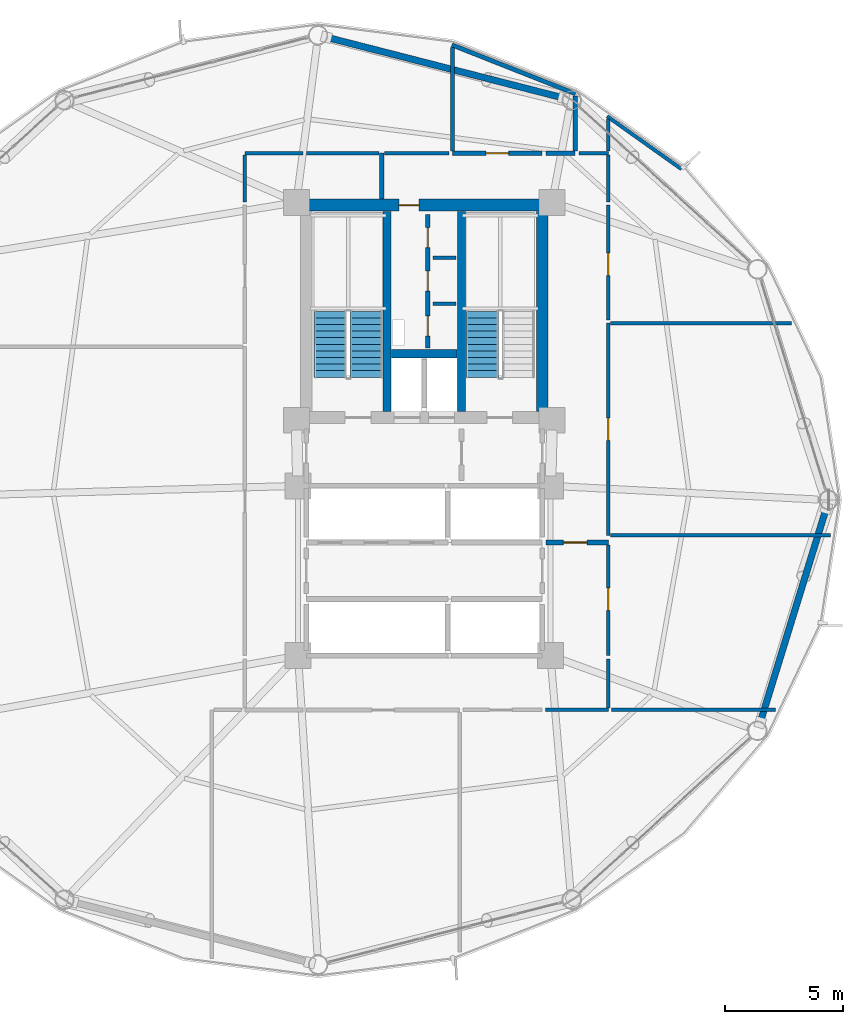
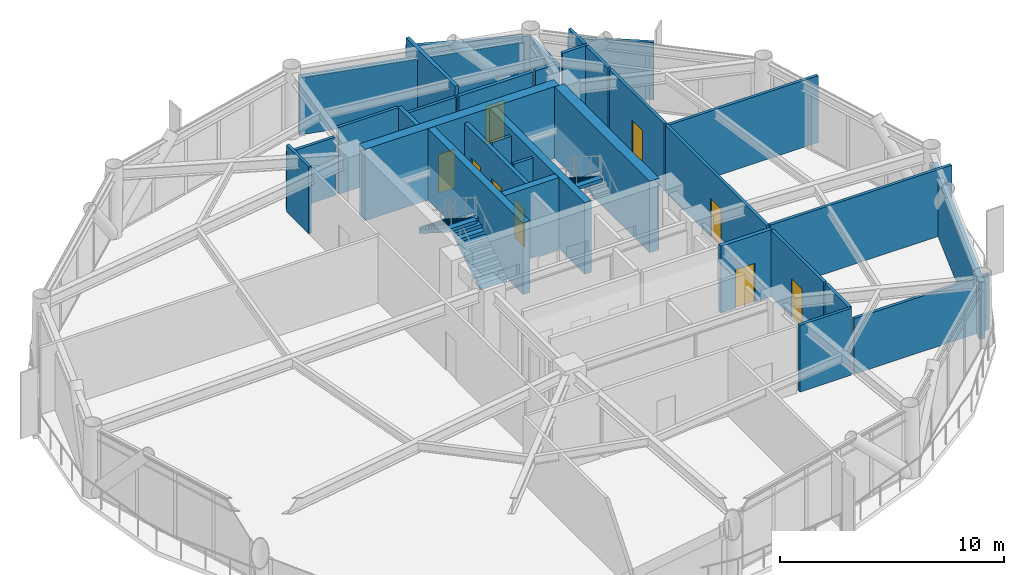
# One storey, part 21 of 25: 33 walls, 9 doors, 3 stair flights, 9 openings, 2 elements without a shape of their own.
"""IFC4 building model written with IfcOpenShell, lengths in metres."""

from ifc_helpers import new_model, si_unit, direction, frame, frame_2d, origin, place, context, subcontext, project, spatial, polyline, rectangle, outline, extrude, material, layer, layer_set, type_object, element, fill, aggregate, save


model = new_model("IFC4")

# Units and contexts
model_context = context("Model", 3, precision=1e-05, world=origin(), true_north=direction((0.0, 1.0)))
body_context = subcontext(model_context, "Body", "Model", "MODEL_VIEW")
ifc_project = project(units=[si_unit("LENGTHUNIT", "METRE"), si_unit("AREAUNIT", "SQUARE_METRE"), si_unit("VOLUMEUNIT", "CUBIC_METRE"), si_unit("PLANEANGLEUNIT", "RADIAN"), si_unit("MASSUNIT", "GRAM", prefix="KILO")], contexts=[model_context])

# Site, building, storey
site_placement = place(None, origin())
site = spatial("IfcSite", under=ifc_project, at=site_placement, CompositionType="ELEMENT")
building_placement = place(site_placement, origin())
building = spatial("IfcBuilding", under=site, at=building_placement, Name="Varnakorn Sky Granary", CompositionType="ELEMENT")
storey_placement = place(building_placement, frame((0.0, 0.0, 99.300048828125)))
storey = spatial("IfcBuildingStorey", under=building, at=storey_placement, Name="L24", CompositionType="ELEMENT", Elevation=99.300048828125)

# Walls
ifc_material_1 = material(Name="Concrete C50/60", Category="concrete")
ifc_layer_1 = layer(ifc_material_1, 0.35009765625, Name="Concrete C50/60")
ifc_layer_set_1 = layer_set([ifc_layer_1], Name="Concrete C50/60")
wall_type_1 = type_object("IfcWallType", Name="WT-CW-INT-350", PredefinedType="SHEAR", material=ifc_layer_set_1)
for number, where, z_axis, x_axis, name in (
    (1, (1.419921875, 3.760009765625, 0.0), (0.0, 0.0, 1.0), (0.0, 1.0, 0.0), "Stair ST-1 Core Wall L24"),
    (2, (4.580078125, 3.760009765625, 0.0), (0.0, 0.0, 1.0), (0.0, 1.0, 0.0), "Stair ST-2 Core Wall L24"),
):
    element("IfcWall", number, at=place(storey_placement, frame(where, z_axis=z_axis, x_axis=x_axis)), inside=storey, type_object=wall_type_1, Name=name, PredefinedType="SHEAR", context=body_context, shape_type="SweptSolid", body=[
        extrude(rectangle(XDim=8.47998046875, YDim=0.35009765625, at=frame_2d((4.239990234375, 0.0))), origin(), (0.0, 0.0, 1.0), 3.891845703125),
    ])
wall_1_placement = place(storey_placement, frame((1.610107421875, 6.199951171875, 0.0), z_axis=(0.0, 0.0, 1.0), x_axis=(1.0, 0.0, 0.0)))
element("IfcWall", 3, at=wall_1_placement, inside=storey, type_object=wall_type_1, Name="Core Lift Shaft Cross Wall L24", PredefinedType="SHEAR", context=body_context, shape_type="SweptSolid", body=[
    extrude(rectangle(XDim=2.77978515625, YDim=0.35009765625, at=frame_2d((1.389892578125, 0.0))), origin(), (0.0, 0.0, 1.0), 3.891845703125),
])

# Wall, opening, door
ifc_material_2 = material(Name="Concrete C60/75", Category="concrete")
ifc_layer_2 = layer(ifc_material_2, 0.5, Name="Concrete C60/75")
ifc_layer_set_2 = layer_set([ifc_layer_2], Name="Concrete C60/75")
wall_type_2 = type_object("IfcWallType", Name="WT-CW-SHEAR-500", PredefinedType="SHEAR", material=ifc_layer_set_2)
wall_2_placement = place(storey_placement, frame((-2.0, 12.5, 0.0), z_axis=(0.0, 0.0, 1.0), x_axis=(1.0, 0.0, 0.0)))
wall_2 = element("IfcWall", 4, at=wall_2_placement, inside=storey, type_object=wall_type_2, Name="Core North Shear Wall L24", PredefinedType="SHEAR", context=body_context, shape_type="SweptSolid", body=[
    extrude(rectangle(XDim=10.0, YDim=0.5, at=frame_2d((5.0, 0.0))), origin(), (0.0, 0.0, 1.0), 3.891845703125),
])
opening_1_placement = place(wall_2_placement, frame((3.919921875, 0.0, 0.0)))
opening_1 = element("IfcOpeningElement", 5, at=opening_1_placement, cuts=wall_2, Name="Opening FD-60N", PredefinedType="OPENING", context=body_context, shape_type="SweptSolid", body=[
    extrude(rectangle(XDim=0.85009765625, YDim=2.10009765625, at=frame_2d((0.425048828125, 1.050048828125))), frame((0.0, 0.260009765625, 0.0), z_axis=(0.0, -1.0, 0.0), x_axis=(1.0, 0.0, 0.0)), (0.0, 0.0, 1.0), 0.52001953125),
])
ifc_material_3 = material(Name="Acoustic Timber Fire Leaf", Category="wood")
door_type_1 = type_object("IfcDoorType", Name="DR-FD60-850", OperationType="NOTDEFINED", PredefinedType="DOOR", material=ifc_material_3)
door_1_placement = place(opening_1_placement, origin())
door_1 = element("IfcDoor", 6, at=door_1_placement, inside=storey, type_object=door_type_1, Name="Core North Service Door L24", OperationType="SINGLE_SWING_RIGHT", OverallHeight=2.10009765625, OverallWidth=0.85009765625, PredefinedType="DOOR", context=body_context, shape_type="SweptSolid", body=[
    extrude(rectangle(XDim=0.85009765625, YDim=2.10009765625, at=frame_2d((0.425048828125, 1.050048828125))), frame((0.0, 0.02490234375, 0.0), z_axis=(0.0, -1.0, 0.0), x_axis=(1.0, 0.0, 0.0)), (0.0, 0.0, 1.0), 0.050048828125),
])
fill(opening_1, door_1)

# Walls
wall_3_placement = place(storey_placement, frame((8.0, 3.760009765625, 0.0), z_axis=(0.0, 0.0, 1.0), x_axis=(0.0, 1.0, 0.0)))
element("IfcWall", 7, at=wall_3_placement, inside=storey, type_object=wall_type_2, Name="Core East Shear Wall L24", PredefinedType="SHEAR", context=body_context, shape_type="SweptSolid", body=[
    extrude(rectangle(XDim=8.47998046875, YDim=0.5, at=frame_2d((4.239990234375, 0.0))), origin(), (0.0, 0.0, 1.0), 3.891845703125),
])
ifc_material_4 = material(Name="Precast concrete C40/50", Category="concrete")
ifc_layer_3 = layer(ifc_material_4, 0.280029296875, Name="Precast concrete C40/50")
ifc_layer_set_3 = layer_set([ifc_layer_3], Name="Precast concrete C40/50")
wall_type_3 = type_object("IfcWallType", Name="WT-EW-CRN-280", PredefinedType="SOLIDWALL", material=ifc_layer_set_3)
wall_4_placement = place(storey_placement, frame((-1.14990234375, 19.6171875, 0.0), z_axis=(0.0, 0.0, 1.0), x_axis=(0.96868968268, -0.248274643631, 0.0)))
element("IfcWall", 8, at=wall_4_placement, inside=storey, type_object=wall_type_3, Name="Agritech Insulated Precast Facade Wall L24-P03", PredefinedType="SOLIDWALL", context=body_context, shape_type="SweptSolid", body=[
    extrude(rectangle(XDim=10.382080078125, YDim=0.280029296875, at=frame_2d((5.19091796875, 0.0))), origin(), (0.0, 0.0, 1.0), 3.10986328125),
])
wall_5_placement = place(storey_placement, frame((20.04345703125, -0.345458984375, 0.0), z_axis=(0.0, 0.0, 1.0), x_axis=(-0.294660809145, -0.955601908513, 0.0)))
element("IfcWall", 9, at=wall_5_placement, inside=storey, type_object=wall_type_3, Name="Agritech Insulated Precast Facade Wall L24-P12", PredefinedType="SOLIDWALL", context=body_context, shape_type="SweptSolid", body=[
    extrude(rectangle(XDim=9.517578125, YDim=0.280029296875, at=frame_2d((4.7587890625, 0.0))), origin(), (0.0, 0.0, 1.0), 3.10986328125),
])

# Wall, openings, doors
ifc_material_5 = material(Name="Autoclaved Aerated Concrete Blockwork", Category="masonry")
ifc_layer_4 = layer(ifc_material_5, 0.199951171875, Name="Autoclaved Aerated Concrete Blockwork")
ifc_layer_set_4 = layer_set([ifc_layer_4], Name="Autoclaved Aerated Concrete Blockwork")
wall_type_4 = type_object("IfcWallType", Name="WT-FIRE-200", PredefinedType="MOVABLE", material=ifc_layer_set_4)
wall_6_placement = place(storey_placement, frame((3.14990234375, 6.449951171875, 0.0), z_axis=(0.0, 0.0, 1.0), x_axis=(0.0, 1.0, 0.0)))
wall_6 = element("IfcWall", 10, at=wall_6_placement, inside=storey, type_object=wall_type_4, Name="Interior Partition Wall L24-015", PredefinedType="MOVABLE", context=body_context, shape_type="SweptSolid", body=[
    extrude(rectangle(XDim=5.650146484375, YDim=0.199951171875, at=frame_2d((2.8251953125, 0.0))), origin(), (0.0, 0.0, 1.0), 3.639892578125),
])
opening_2_placement = place(wall_6_placement, frame((0.5, 0.0, 0.0)))
opening_2 = element("IfcOpeningElement", 11, at=opening_2_placement, cuts=wall_6, Name="Opening FD-60N", PredefinedType="OPENING", context=body_context, shape_type="SweptSolid", body=[
    extrude(rectangle(XDim=0.85009765625, YDim=2.10009765625, at=frame_2d((0.425048828125, 1.050048828125))), frame((0.0, 0.10986328125, 0.0), z_axis=(0.0, -1.0, 0.0), x_axis=(1.0, 0.0, 0.0)), (0.0, 0.0, 1.0), 0.219970703125),
])
opening_3_placement = place(wall_6_placement, frame((2.39990234375, 0.0, 0.0)))
opening_3 = element("IfcOpeningElement", 12, at=opening_3_placement, cuts=wall_6, Name="Opening FD-60N", PredefinedType="OPENING", context=body_context, shape_type="SweptSolid", body=[
    extrude(rectangle(XDim=0.85009765625, YDim=2.10009765625, at=frame_2d((0.425048828125, 1.050048828125))), frame((0.0, 0.10986328125, 0.0), z_axis=(0.0, -1.0, 0.0), x_axis=(1.0, 0.0, 0.0)), (0.0, 0.0, 1.0), 0.219970703125),
])
opening_4_placement = place(wall_6_placement, frame((4.25, 0.0, 0.0)))
opening_4 = element("IfcOpeningElement", 13, at=opening_4_placement, cuts=wall_6, Name="Opening FD-60N", PredefinedType="OPENING", context=body_context, shape_type="SweptSolid", body=[
    extrude(rectangle(XDim=0.85009765625, YDim=2.10009765625, at=frame_2d((0.425048828125, 1.050048828125))), frame((0.0, 0.10986328125, 0.0), z_axis=(0.0, -1.0, 0.0), x_axis=(1.0, 0.0, 0.0)), (0.0, 0.0, 1.0), 0.219970703125),
])
door_2_placement = place(opening_2_placement, origin())
door_2 = element("IfcDoor", 14, at=door_2_placement, inside=storey, type_object=door_type_1, Name="Interior Door L24-015-1", OperationType="SINGLE_SWING_LEFT", OverallHeight=2.10009765625, OverallWidth=0.85009765625, PredefinedType="DOOR", context=body_context, shape_type="SweptSolid", body=[
    extrude(rectangle(XDim=0.85009765625, YDim=2.10009765625, at=frame_2d((0.425048828125, 1.050048828125))), frame((0.0, 0.02490234375, 0.0), z_axis=(0.0, -1.0, 0.0), x_axis=(1.0, 0.0, 0.0)), (0.0, 0.0, 1.0), 0.050048828125),
])
fill(opening_2, door_2)
door_3_placement = place(opening_3_placement, origin())
door_3 = element("IfcDoor", 15, at=door_3_placement, inside=storey, type_object=door_type_1, Name="Interior Door L24-015-2", OperationType="SINGLE_SWING_RIGHT", OverallHeight=2.10009765625, OverallWidth=0.85009765625, PredefinedType="DOOR", context=body_context, shape_type="SweptSolid", body=[
    extrude(rectangle(XDim=0.85009765625, YDim=2.10009765625, at=frame_2d((0.425048828125, 1.050048828125))), frame((0.0, 0.02490234375, 0.0), z_axis=(0.0, -1.0, 0.0), x_axis=(1.0, 0.0, 0.0)), (0.0, 0.0, 1.0), 0.050048828125),
])
fill(opening_3, door_3)
door_4_placement = place(opening_4_placement, origin())
door_4 = element("IfcDoor", 16, at=door_4_placement, inside=storey, type_object=door_type_1, Name="Interior Door L24-015-3", OperationType="SINGLE_SWING_LEFT", OverallHeight=2.10009765625, OverallWidth=0.85009765625, PredefinedType="DOOR", context=body_context, shape_type="SweptSolid", body=[
    extrude(rectangle(XDim=0.85009765625, YDim=2.10009765625, at=frame_2d((0.425048828125, 1.050048828125))), frame((0.0, 0.02490234375, 0.0), z_axis=(0.0, -1.0, 0.0), x_axis=(1.0, 0.0, 0.0)), (0.0, 0.0, 1.0), 0.050048828125),
])
fill(opening_4, door_4)

# Wall, opening, door
wall_7_placement = place(storey_placement, frame((8.159912109375, -1.800048828125, 0.0), z_axis=(0.0, 0.0, 1.0), x_axis=(1.0, 0.0, 0.0)))
wall_7 = element("IfcWall", 17, at=wall_7_placement, inside=storey, type_object=wall_type_4, Name="Interior Partition Wall L24-021", PredefinedType="MOVABLE", context=body_context, shape_type="SweptSolid", body=[
    extrude(rectangle(XDim=2.64013671875, YDim=0.199951171875, at=frame_2d((1.320068359375, 0.0))), origin(), (0.0, 0.0, 1.0), 3.639892578125),
])
opening_5_placement = place(wall_7_placement, frame((0.739990234375, 0.0, 0.0)))
opening_5 = element("IfcOpeningElement", 18, at=opening_5_placement, cuts=wall_7, Name="Opening FD-60", PredefinedType="OPENING", context=body_context, shape_type="SweptSolid", body=[
    extrude(rectangle(XDim=1.0, YDim=2.10009765625, at=frame_2d((0.5, 1.050048828125))), frame((0.0, 0.10986328125, 0.0), z_axis=(0.0, -1.0, 0.0), x_axis=(1.0, 0.0, 0.0)), (0.0, 0.0, 1.0), 0.219970703125),
])
door_type_2 = type_object("IfcDoorType", Name="DR-FD60-1000", OperationType="NOTDEFINED", PredefinedType="DOOR", material=ifc_material_3)
door_5_placement = place(opening_5_placement, origin())
door_5 = element("IfcDoor", 19, at=door_5_placement, inside=storey, type_object=door_type_2, Name="Interior Door L24-021-1", OperationType="SINGLE_SWING_LEFT", OverallHeight=2.10009765625, OverallWidth=1.0, PredefinedType="DOOR", context=body_context, shape_type="SweptSolid", body=[
    extrude(rectangle(XDim=1.0, YDim=2.10009765625, at=frame_2d((0.5, 1.050048828125))), frame((0.0, 0.02490234375, 0.0), z_axis=(0.0, -1.0, 0.0), x_axis=(1.0, 0.0, 0.0)), (0.0, 0.0, 1.0), 0.050048828125),
])
fill(opening_5, door_5)

# Wall
wall_8_placement = place(storey_placement, frame((1.199951171875, 14.699951171875, 0.0), z_axis=(0.0, 0.0, 1.0), x_axis=(0.0, -1.0, 0.0)))
element("IfcWall", 20, at=wall_8_placement, inside=storey, type_object=wall_type_4, Name="Interior Partition Wall L24-033", PredefinedType="MOVABLE", context=body_context, shape_type="SweptSolid", body=[
    extrude(rectangle(XDim=1.93994140625, YDim=0.199951171875, at=frame_2d((0.969970703125, 0.0))), origin(), (0.0, 0.0, 1.0), 3.639892578125),
])

# Wall, opening, door
ifc_material_6 = material(Name="Gypsum Plasterboard on Steel Stud", Category="steel")
ifc_layer_5 = layer(ifc_material_6, 0.14990234375, Name="Gypsum Plasterboard on Steel Stud")
ifc_layer_set_5 = layer_set([ifc_layer_5], Name="Gypsum Plasterboard on Steel Stud")
wall_type_5 = type_object("IfcWallType", Name="WT-PART-150", PredefinedType="PARTITIONING", material=ifc_layer_set_5)
wall_9_placement = place(storey_placement, frame((10.800048828125, -6.60009765625, 0.0), z_axis=(0.0, 0.0, 1.0), x_axis=(0.0, 1.0, 0.0)))
wall_9 = element("IfcWall", 21, at=wall_9_placement, inside=storey, type_object=wall_type_5, Name="Interior Partition Wall L24-027", PredefinedType="PARTITIONING", context=body_context, shape_type="SweptSolid", body=[
    extrude(rectangle(XDim=4.690185546875, YDim=0.14990234375, at=frame_2d((2.34521484375, 0.0))), origin(), (0.0, 0.0, 1.0), 3.639892578125),
])
opening_6_placement = place(wall_9_placement, frame((1.925048828125, 0.0, 0.0)))
opening_6 = element("IfcOpeningElement", 22, at=opening_6_placement, cuts=wall_9, Name="Opening ID-95", PredefinedType="OPENING", context=body_context, shape_type="SweptSolid", body=[
    extrude(rectangle(XDim=0.949951171875, YDim=2.10009765625, at=frame_2d((0.47509765625, 1.050048828125))), frame((0.0, 0.0849609375, 0.0), z_axis=(0.0, -1.0, 0.0), x_axis=(1.0, 0.0, 0.0)), (0.0, 0.0, 1.0), 0.169921875),
])
ifc_material_7 = material(Name="Solid-Core Teak Veneer Leaf", Category="timber")
door_type_3 = type_object("IfcDoorType", Name="DR-INT-950", OperationType="NOTDEFINED", PredefinedType="DOOR", material=ifc_material_7)
door_6_placement = place(opening_6_placement, origin())
door_6 = element("IfcDoor", 23, at=door_6_placement, inside=storey, type_object=door_type_3, Name="Interior Door L24-027-1", OperationType="SINGLE_SWING_LEFT", OverallHeight=2.10009765625, OverallWidth=0.949951171875, PredefinedType="DOOR", context=body_context, shape_type="SweptSolid", body=[
    extrude(rectangle(XDim=0.949951171875, YDim=2.10009765625, at=frame_2d((0.47509765625, 1.050048828125))), frame((0.0, 0.02490234375, 0.0), z_axis=(0.0, -1.0, 0.0), x_axis=(1.0, 0.0, 0.0)), (0.0, 0.0, 1.0), 0.050048828125),
])
fill(opening_6, door_6)

wall_10_placement = place(storey_placement, frame((10.800048828125, -1.5, 0.0), z_axis=(0.0, 0.0, 1.0), x_axis=(0.0, 1.0, 0.0)))
wall_10 = element("IfcWall", 24, at=wall_10_placement, inside=storey, type_object=wall_type_5, Name="Interior Partition Wall L24-028", PredefinedType="PARTITIONING", context=body_context, shape_type="SweptSolid", body=[
    extrude(rectangle(XDim=9.0, YDim=0.14990234375, at=frame_2d((4.5, 0.0))), origin(), (0.0, 0.0, 1.0), 3.639892578125),
])
opening_7_placement = place(wall_10_placement, frame((4.02490234375, 0.0, 0.0)))
opening_7 = element("IfcOpeningElement", 25, at=opening_7_placement, cuts=wall_10, Name="Opening ID-95", PredefinedType="OPENING", context=body_context, shape_type="SweptSolid", body=[
    extrude(rectangle(XDim=0.949951171875, YDim=2.10009765625, at=frame_2d((0.47509765625, 1.050048828125))), frame((0.0, 0.0849609375, 0.0), z_axis=(0.0, -1.0, 0.0), x_axis=(1.0, 0.0, 0.0)), (0.0, 0.0, 1.0), 0.169921875),
])
door_7_placement = place(opening_7_placement, origin())
door_7 = element("IfcDoor", 26, at=door_7_placement, inside=storey, type_object=door_type_3, Name="Interior Door L24-028-1", OperationType="SINGLE_SWING_RIGHT", OverallHeight=2.10009765625, OverallWidth=0.949951171875, PredefinedType="DOOR", context=body_context, shape_type="SweptSolid", body=[
    extrude(rectangle(XDim=0.949951171875, YDim=2.10009765625, at=frame_2d((0.47509765625, 1.050048828125))), frame((0.0, 0.02490234375, 0.0), z_axis=(0.0, -1.0, 0.0), x_axis=(1.0, 0.0, 0.0)), (0.0, 0.0, 1.0), 0.050048828125),
])
fill(opening_7, door_7)

wall_11_placement = place(storey_placement, frame((10.800048828125, 7.635009765625, 0.0), z_axis=(0.0, 0.0, 1.0), x_axis=(0.0, 1.0, 0.0)))
wall_11 = element("IfcWall", 27, at=wall_11_placement, inside=storey, type_object=wall_type_5, Name="Interior Partition Wall L24-029", PredefinedType="PARTITIONING", context=body_context, shape_type="SweptSolid", body=[
    extrude(rectangle(XDim=4.864990234375, YDim=0.14990234375, at=frame_2d((2.4326171875, 0.0))), origin(), (0.0, 0.0, 1.0), 3.639892578125),
])
opening_8_placement = place(wall_11_placement, frame((1.889892578125, 0.0, 0.0)))
opening_8 = element("IfcOpeningElement", 28, at=opening_8_placement, cuts=wall_11, Name="Opening ID-95", PredefinedType="OPENING", context=body_context, shape_type="SweptSolid", body=[
    extrude(rectangle(XDim=0.949951171875, YDim=2.10009765625, at=frame_2d((0.47509765625, 1.050048828125))), frame((0.0, 0.0849609375, 0.0), z_axis=(0.0, -1.0, 0.0), x_axis=(1.0, 0.0, 0.0)), (0.0, 0.0, 1.0), 0.169921875),
])
door_8_placement = place(opening_8_placement, origin())
door_8 = element("IfcDoor", 29, at=door_8_placement, inside=storey, type_object=door_type_3, Name="Interior Door L24-029-1", OperationType="SINGLE_SWING_LEFT", OverallHeight=2.10009765625, OverallWidth=0.949951171875, PredefinedType="DOOR", context=body_context, shape_type="SweptSolid", body=[
    extrude(rectangle(XDim=0.949951171875, YDim=2.10009765625, at=frame_2d((0.47509765625, 1.050048828125))), frame((0.0, 0.02490234375, 0.0), z_axis=(0.0, -1.0, 0.0), x_axis=(1.0, 0.0, 0.0)), (0.0, 0.0, 1.0), 0.050048828125),
])
fill(opening_8, door_8)

# Walls
for number, where, z_axis, x_axis, name in (
    (30, (3.3701171875, 8.320068359375, 0.0), (0.0, 0.0, 1.0), (1.0, 0.0, 0.0), "Interior Partition Wall L24-030"),
    (31, (3.3701171875, 10.260009765625, 0.0), (0.0, 0.0, 1.0), (1.0, 0.0, 0.0), "Interior Partition Wall L24-031"),
):
    element("IfcWall", number, at=place(storey_placement, frame(where, z_axis=z_axis, x_axis=x_axis)), inside=storey, type_object=wall_type_5, Name=name, PredefinedType="PARTITIONING", context=body_context, shape_type="SweptSolid", body=[
        extrude(rectangle(XDim=0.97998046875, YDim=0.14990234375, at=frame_2d((0.489990234375, 0.0))), origin(), (0.0, 0.0, 1.0), 3.639892578125),
    ])
wall_12_placement = place(storey_placement, frame((8.135009765625, -8.89990234375, 0.0), z_axis=(0.0, 0.0, 1.0), x_axis=(1.0, 0.0, 0.0)))
element("IfcWall", 32, at=wall_12_placement, inside=storey, type_object=wall_type_5, Name="Interior Partition Wall L24-039", PredefinedType="PARTITIONING", context=body_context, shape_type="SweptSolid", body=[
    extrude(rectangle(XDim=2.6650390625, YDim=0.14990234375, at=frame_2d((1.33251953125, 0.0))), origin(), (0.0, 0.0, 1.0), 3.639892578125),
])
wall_13_placement = place(storey_placement, frame((10.93505859375, -8.89990234375, 0.0), z_axis=(0.0, 0.0, 1.0), x_axis=(1.0, 0.0, 0.0)))
element("IfcWall", 33, at=wall_13_placement, inside=storey, type_object=wall_type_5, Name="Interior Partition Wall L24-040", PredefinedType="PARTITIONING", context=body_context, shape_type="SweptSolid", body=[
    extrude(rectangle(XDim=6.9609375, YDim=0.14990234375, at=frame_2d((3.48046875, 0.0))), origin(), (0.0, 0.0, 1.0), 3.02197265625),
])
wall_14_placement = place(storey_placement, frame((1.090087890625, 14.699951171875, 0.0), z_axis=(0.0, 0.0, 1.0), x_axis=(-1.0, 0.0, 0.0)))
element("IfcWall", 34, at=wall_14_placement, inside=storey, type_object=wall_type_5, Name="Interior Partition Wall L24-043", PredefinedType="PARTITIONING", context=body_context, shape_type="SweptSolid", body=[
    extrude(rectangle(XDim=3.090087890625, YDim=0.14990234375, at=frame_2d((1.544921875, 0.0))), origin(), (0.0, 0.0, 1.0), 3.639892578125),
])
wall_15_placement = place(storey_placement, frame((-2.135009765625, 14.699951171875, 0.0), z_axis=(0.0, 0.0, 1.0), x_axis=(-1.0, 0.0, 0.0)))
element("IfcWall", 35, at=wall_15_placement, inside=storey, type_object=wall_type_5, Name="Interior Partition Wall L24-044", PredefinedType="PARTITIONING", context=body_context, shape_type="SweptSolid", body=[
    extrude(rectangle(XDim=2.465087890625, YDim=0.14990234375, at=frame_2d((1.232421875, 0.0))), origin(), (0.0, 0.0, 1.0), 3.171875),
])
wall_16_placement = place(storey_placement, frame((-4.60009765625, 14.614990234375, 0.0), z_axis=(0.0, 0.0, 1.0), x_axis=(0.0, -1.0, 0.0)))
element("IfcWall", 36, at=wall_16_placement, inside=storey, type_object=wall_type_5, Name="Interior Partition Wall L24-045", PredefinedType="PARTITIONING", context=body_context, shape_type="SweptSolid", body=[
    extrude(rectangle(XDim=1.97998046875, YDim=0.14990234375, at=frame_2d((0.989990234375, 0.0))), origin(), (0.0, 0.0, 1.0), 3.639892578125),
])
wall_17_placement = place(storey_placement, frame((10.800048828125, 14.699951171875, 0.0), z_axis=(0.0, 0.0, 1.0), x_axis=(-1.0, 0.0, 0.0)))
element("IfcWall", 37, at=wall_17_placement, inside=storey, type_object=wall_type_5, Name="Interior Partition Wall L24-046", PredefinedType="PARTITIONING", context=body_context, shape_type="SweptSolid", body=[
    extrude(rectangle(XDim=1.25, YDim=0.14990234375, at=frame_2d((0.625, 0.0))), origin(), (0.0, 0.0, 1.0), 3.639892578125),
])
wall_18_placement = place(storey_placement, frame((4.050048828125, 14.699951171875, 0.0), z_axis=(0.0, 0.0, 1.0), x_axis=(-1.0, 0.0, 0.0)))
element("IfcWall", 38, at=wall_18_placement, inside=storey, type_object=wall_type_5, Name="Interior Partition Wall L24-047", PredefinedType="PARTITIONING", context=body_context, shape_type="SweptSolid", body=[
    extrude(rectangle(XDim=2.739990234375, YDim=0.14990234375, at=frame_2d((1.3701171875, 0.0))), origin(), (0.0, 0.0, 1.0), 3.171875),
])
wall_19_placement = place(storey_placement, frame((10.7509765625, 16.26611328125, 0.0), z_axis=(0.0, 0.0, 1.0), x_axis=(0.815067360332, -0.579366203814, 0.0)))
element("IfcWall", 39, at=wall_19_placement, inside=storey, type_object=wall_type_5, Name="Interior Partition Wall L24-051", PredefinedType="PARTITIONING", context=body_context, shape_type="SweptSolid", body=[
    extrude(rectangle(XDim=3.864501953125, YDim=0.14990234375, at=frame_2d((1.93212890625, 0.0))), origin(), (0.0, 0.0, 1.0), 3.1220703125),
])
wall_20_placement = place(storey_placement, frame((10.800048828125, 16.14697265625, 0.0), z_axis=(0.0, 0.0, 1.0), x_axis=(0.0, -1.0, 0.0)))
element("IfcWall", 40, at=wall_20_placement, inside=storey, type_object=wall_type_5, Name="Interior Partition Wall L24-052", PredefinedType="PARTITIONING", context=body_context, shape_type="SweptSolid", body=[
    extrude(rectangle(XDim=1.362060546875, YDim=0.14990234375, at=frame_2d((0.68115234375, 0.0))), origin(), (0.0, 0.0, 1.0), 3.639892578125),
])
wall_21_placement = place(storey_placement, frame((10.800048828125, -8.81494140625, 0.0), z_axis=(0.0, 0.0, 1.0), x_axis=(0.0, 1.0, 0.0)))
element("IfcWall", 41, at=wall_21_placement, inside=storey, type_object=wall_type_5, Name="Interior Partition Wall L24-053", PredefinedType="PARTITIONING", context=body_context, shape_type="SweptSolid", body=[
    extrude(rectangle(XDim=2.079833984375, YDim=0.14990234375, at=frame_2d((1.0400390625, 0.0))), origin(), (0.0, 0.0, 1.0), 3.639892578125),
])
wall_22_placement = place(storey_placement, frame((10.885009765625, -1.5, 0.0), z_axis=(0.0, 0.0, 1.0), x_axis=(1.0, 0.0, 0.0)))
element("IfcWall", 42, at=wall_22_placement, inside=storey, type_object=wall_type_5, Name="Interior Partition Wall L24-054", PredefinedType="PARTITIONING", context=body_context, shape_type="SweptSolid", body=[
    extrude(rectangle(XDim=9.344970703125, YDim=0.14990234375, at=frame_2d((4.67236328125, 0.0))), origin(), (0.0, 0.0, 1.0), 3.639892578125),
])
wall_23_placement = place(storey_placement, frame((10.885009765625, 7.5, 0.0), z_axis=(0.0, 0.0, 1.0), x_axis=(1.0, 0.0, 0.0)))
element("IfcWall", 43, at=wall_23_placement, inside=storey, type_object=wall_type_5, Name="Interior Partition Wall L24-055", PredefinedType="PARTITIONING", context=body_context, shape_type="SweptSolid", body=[
    extrude(rectangle(XDim=7.676025390625, YDim=0.14990234375, at=frame_2d((3.837890625, 0.0))), origin(), (0.0, 0.0, 1.0), 3.639892578125),
])
wall_24_placement = place(storey_placement, frame((10.800048828125, 12.635009765625, 0.0), z_axis=(0.0, 0.0, 1.0), x_axis=(0.0, 1.0, 0.0)))
element("IfcWall", 44, at=wall_24_placement, inside=storey, type_object=wall_type_5, Name="Interior Partition Wall L24-056", PredefinedType="PARTITIONING", context=body_context, shape_type="SweptSolid", body=[
    extrude(rectangle(XDim=1.97998046875, YDim=0.14990234375, at=frame_2d((0.989990234375, 0.0))), origin(), (0.0, 0.0, 1.0), 3.639892578125),
])

# Wall, opening, door
ifc_material_8 = material(Name="Moisture-Resistant Gypsum on Stud", Category="gypsum")
ifc_layer_6 = layer(ifc_material_8, 0.179931640625, Name="Moisture-Resistant Gypsum on Stud")
ifc_layer_set_6 = layer_set([ifc_layer_6], Name="Moisture-Resistant Gypsum on Stud")
wall_type_6 = type_object("IfcWallType", Name="WT-PLUMB-180", PredefinedType="PLUMBINGWALL", material=ifc_layer_set_6)
wall_25_placement = place(storey_placement, frame((8.0, 14.699951171875, 0.0), z_axis=(0.0, 0.0, 1.0), x_axis=(-1.0, 0.0, 0.0)))
wall_25 = element("IfcWall", 45, at=wall_25_placement, inside=storey, type_object=wall_type_6, Name="Interior Partition Wall L24-022", PredefinedType="PLUMBINGWALL", context=body_context, shape_type="SweptSolid", body=[
    extrude(rectangle(XDim=3.800048828125, YDim=0.179931640625, at=frame_2d((1.89990234375, 0.0))), origin(), (0.0, 0.0, 1.0), 3.171875),
])
opening_9_placement = place(wall_25_placement, frame((1.425048828125, 0.0, 0.0)))
opening_9 = element("IfcOpeningElement", 46, at=opening_9_placement, cuts=wall_25, Name="Opening ID-95", PredefinedType="OPENING", context=body_context, shape_type="SweptSolid", body=[
    extrude(rectangle(XDim=0.949951171875, YDim=2.10009765625, at=frame_2d((0.47509765625, 1.050048828125))), frame((0.0, 0.10009765625, 0.0), z_axis=(0.0, -1.0, 0.0), x_axis=(1.0, 0.0, 0.0)), (0.0, 0.0, 1.0), 0.199951171875),
])
door_9_placement = place(opening_9_placement, origin())
door_9 = element("IfcDoor", 47, at=door_9_placement, inside=storey, type_object=door_type_3, Name="Interior Door L24-022-1", OperationType="SINGLE_SWING_RIGHT", OverallHeight=2.10009765625, OverallWidth=0.949951171875, PredefinedType="DOOR", context=body_context, shape_type="SweptSolid", body=[
    extrude(rectangle(XDim=0.949951171875, YDim=2.10009765625, at=frame_2d((0.47509765625, 1.050048828125))), frame((0.0, 0.02490234375, 0.0), z_axis=(0.0, -1.0, 0.0), x_axis=(1.0, 0.0, 0.0)), (0.0, 0.0, 1.0), 0.050048828125),
])
fill(opening_9, door_9)

# Walls
wall_26_placement = place(storey_placement, frame((9.39990234375, 14.699951171875, 0.0), z_axis=(0.0, 0.0, 1.0), x_axis=(-1.0, 0.0, 0.0)))
element("IfcWall", 48, at=wall_26_placement, inside=storey, type_object=wall_type_6, Name="Interior Partition Wall L24-034", PredefinedType="PLUMBINGWALL", context=body_context, shape_type="SweptSolid", body=[
    extrude(rectangle(XDim=1.25, YDim=0.179931640625, at=frame_2d((0.625, 0.0))), origin(), (0.0, 0.0, 1.0), 3.171875),
])
wall_27_placement = place(storey_placement, frame((4.172119140625, 19.291015625, 0.0), z_axis=(0.0, 0.0, 1.0), x_axis=(0.929877329718, -0.367869748248, 0.0)))
element("IfcWall", 49, at=wall_27_placement, inside=storey, type_object=wall_type_6, Name="Interior Partition Wall L24-048", PredefinedType="PLUMBINGWALL", context=body_context, shape_type="SweptSolid", body=[
    extrude(rectangle(XDim=5.63525390625, YDim=0.179931640625, at=frame_2d((2.817626953125, 0.0))), origin(), (0.0, 0.0, 1.0), 3.1220703125),
])
wall_28_placement = place(storey_placement, frame((9.39990234375, 14.800048828125, 0.0), z_axis=(0.0, 0.0, 1.0), x_axis=(0.0, 1.0, 0.0)))
element("IfcWall", 50, at=wall_28_placement, inside=storey, type_object=wall_type_6, Name="Interior Partition Wall L24-049", PredefinedType="PLUMBINGWALL", context=body_context, shape_type="SweptSolid", body=[
    extrude(rectangle(XDim=2.322998046875, YDim=0.179931640625, at=frame_2d((1.16162109375, 0.0))), origin(), (0.0, 0.0, 1.0), 3.02197265625),
])
wall_29_placement = place(storey_placement, frame((4.199951171875, 19.179931640625, 0.0), z_axis=(0.0, 0.0, 1.0), x_axis=(0.0, -1.0, 0.0)))
element("IfcWall", 51, at=wall_29_placement, inside=storey, type_object=wall_type_6, Name="Interior Partition Wall L24-050", PredefinedType="PLUMBINGWALL", context=body_context, shape_type="SweptSolid", body=[
    extrude(rectangle(XDim=4.3798828125, YDim=0.179931640625, at=frame_2d((2.18994140625, 0.0))), origin(), (0.0, 0.0, 1.0), 3.639892578125),
])

# Stair, stair flights
ifc_material_9 = material(Name="Concrete C40/50", Category="concrete")
stair_type = type_object("IfcStairType", Name="ST-MAIN-ASSEMBLY", PredefinedType="HALF_TURN_STAIR", material=ifc_material_9)
stair_1_placement = place(storey_placement, origin())
stair_1 = element("IfcStair", 52, at=stair_1_placement, inside=storey, type_object=stair_type, Name="L24 Protected Exit Stair ST-1", PredefinedType="HALF_TURN_STAIR")
stair_flight_type = type_object("IfcStairFlightType", Name="ST-MAIN-FLIGHT", PredefinedType="STRAIGHT", material=ifc_material_9)
stair_flight_1_placement = place(storey_placement, frame((0.550048828125, 5.199951171875, 0.0), z_axis=(0.0, 0.0, 1.0), x_axis=(0.0, 1.0, 0.0)))
stair_flight_1 = element("IfcStairFlight", 53, at=stair_flight_1_placement, type_object=stair_flight_type, Name="ST-1 flight 1", NumberOfRisers=11, NumberOfTreads=10, PredefinedType="STRAIGHT", RiserHeight=0.177272727, TreadLength=0.28, context=body_context, shape_type="SweptSolid", body=[
    extrude(outline(polyline([(0.0, -0.14990234375), (0.0, 0.0), (0.0, 0.17724609375), (0.280029296875, 0.17724609375), (0.280029296875, 0.3544921875), (0.56005859375, 0.3544921875), (0.56005859375, 0.53173828125), (0.840087890625, 0.53173828125), (0.840087890625, 0.708984375), (1.1201171875, 0.708984375), (1.1201171875, 0.886474609375), (1.39990234375, 0.886474609375), (1.39990234375, 1.063720703125), (1.679931640625, 1.063720703125), (1.679931640625, 1.240966796875), (1.9599609375, 1.240966796875), (1.9599609375, 1.418212890625), (2.239990234375, 1.418212890625), (2.239990234375, 1.595458984375), (2.52001953125, 1.595458984375), (2.52001953125, 1.772705078125), (2.800048828125, 1.772705078125), (2.800048828125, 1.949951171875), (2.800048828125, 1.59521484375), (0.050048828125, -0.14990234375), (0.0, -0.14990234375)])), frame((0.0, 0.68994140625, 0.0), z_axis=(0.0, -1.0, 0.0), x_axis=(1.0, 0.0, 0.0)), (0.0, 0.0, 1.0), 1.3798828125),
])
stair_flight_2_placement = place(storey_placement, frame((-0.97998046875, 8.0, 1.949951171875), z_axis=(0.0, 0.0, 1.0), x_axis=(0.0, -1.0, 0.0)))
stair_flight_2 = element("IfcStairFlight", 54, at=stair_flight_2_placement, type_object=stair_flight_type, Name="ST-1 flight 2", NumberOfRisers=11, NumberOfTreads=10, PredefinedType="STRAIGHT", RiserHeight=0.177272727, TreadLength=0.28, context=body_context, shape_type="SweptSolid", body=[
    extrude(outline(polyline([(0.0, -0.14990234375), (0.0, 0.0), (0.0, 0.17724609375), (0.280029296875, 0.17724609375), (0.280029296875, 0.3544921875), (0.56005859375, 0.3544921875), (0.56005859375, 0.53173828125), (0.840087890625, 0.53173828125), (0.840087890625, 0.708984375), (1.1201171875, 0.708984375), (1.1201171875, 0.886474609375), (1.39990234375, 0.886474609375), (1.39990234375, 1.063720703125), (1.679931640625, 1.063720703125), (1.679931640625, 1.240966796875), (1.9599609375, 1.240966796875), (1.9599609375, 1.418212890625), (2.239990234375, 1.418212890625), (2.239990234375, 1.595458984375), (2.52001953125, 1.595458984375), (2.52001953125, 1.772705078125), (2.800048828125, 1.772705078125), (2.800048828125, 1.949951171875), (2.800048828125, 1.59521484375), (0.050048828125, -0.14990234375), (0.0, -0.14990234375)])), frame((0.0, 0.68994140625, 0.0), z_axis=(0.0, -1.0, 0.0), x_axis=(1.0, 0.0, 0.0)), (0.0, 0.0, 1.0), 1.3798828125),
])
aggregate(stair_1, [stair_flight_1, stair_flight_2])

# Stair, stair flight
stair_2_placement = place(storey_placement, origin())
stair_2 = element("IfcStair", 55, at=stair_2_placement, inside=storey, type_object=stair_type, Name="L24 Protected Exit Stair ST-2", PredefinedType="HALF_TURN_STAIR")
stair_flight_3_placement = place(storey_placement, frame((5.4599609375, 8.0, 1.949951171875), z_axis=(0.0, 0.0, 1.0), x_axis=(0.0, -1.0, 0.0)))
stair_flight_3 = element("IfcStairFlight", 56, at=stair_flight_3_placement, type_object=stair_flight_type, Name="ST-2 flight 2", NumberOfRisers=11, NumberOfTreads=10, PredefinedType="STRAIGHT", RiserHeight=0.177272727, TreadLength=0.28, context=body_context, shape_type="SweptSolid", body=[
    extrude(outline(polyline([(0.0, -0.14990234375), (0.0, 0.0), (0.0, 0.17724609375), (0.280029296875, 0.17724609375), (0.280029296875, 0.3544921875), (0.56005859375, 0.3544921875), (0.56005859375, 0.53173828125), (0.840087890625, 0.53173828125), (0.840087890625, 0.708984375), (1.1201171875, 0.708984375), (1.1201171875, 0.886474609375), (1.39990234375, 0.886474609375), (1.39990234375, 1.063720703125), (1.679931640625, 1.063720703125), (1.679931640625, 1.240966796875), (1.9599609375, 1.240966796875), (1.9599609375, 1.418212890625), (2.239990234375, 1.418212890625), (2.239990234375, 1.595458984375), (2.52001953125, 1.595458984375), (2.52001953125, 1.772705078125), (2.800048828125, 1.772705078125), (2.800048828125, 1.949951171875), (2.800048828125, 1.59521484375), (0.050048828125, -0.14990234375), (0.0, -0.14990234375)])), frame((0.0, 0.68994140625, 0.0), z_axis=(0.0, -1.0, 0.0), x_axis=(1.0, 0.0, 0.0)), (0.0, 0.0, 1.0), 1.3798828125),
])
aggregate(stair_2, [stair_flight_3])

save(model, "model.ifc")
